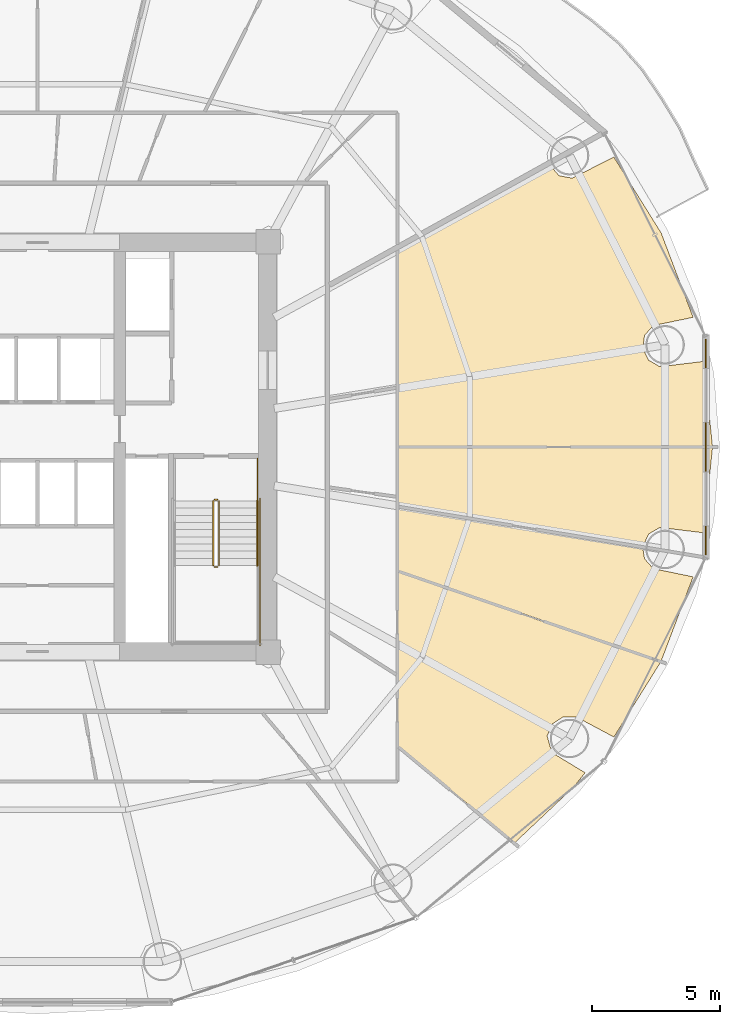
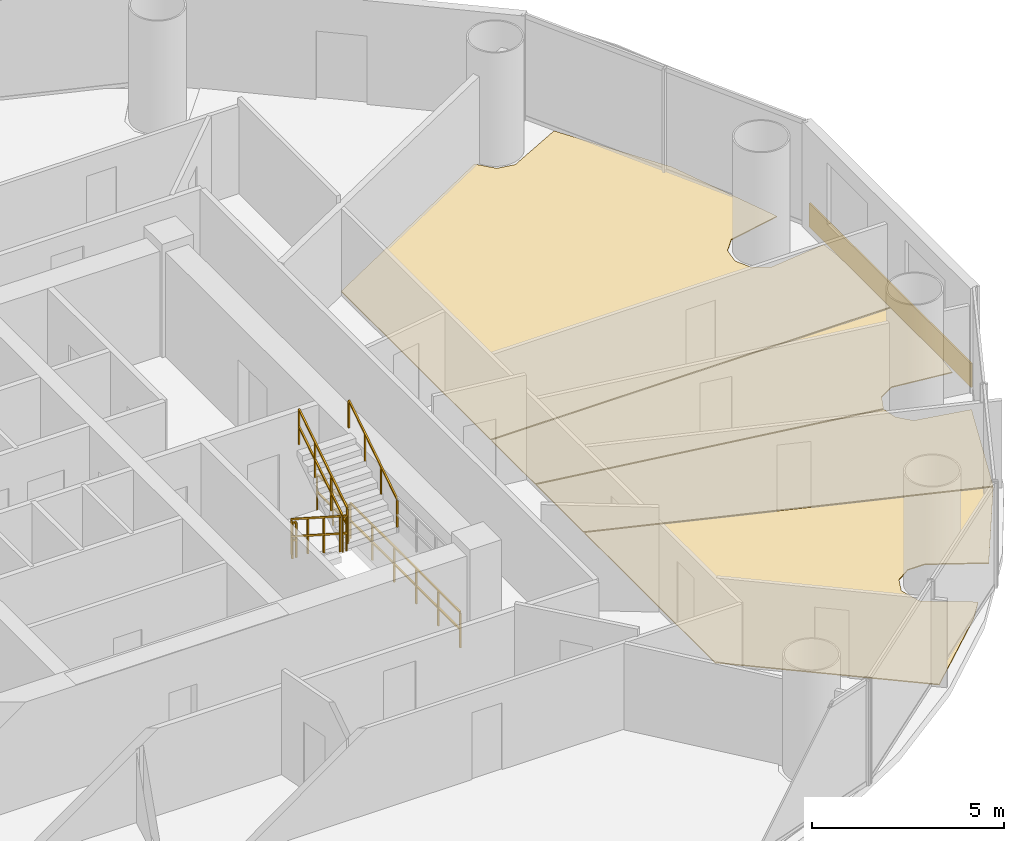
# One storey, part 28 of 29: 7 railings, 5 coverings.
"""IFC4 building model written with IfcOpenShell, lengths in metres."""

from ifc_helpers import new_model, si_unit, direction, frame, origin, origin_2d, place, context, subcontext, project, spatial, polyline, rectangle, outline, extrude, source, transform, mapped, material, layer, layer_set, type_object, element, save


model = new_model("IFC4")

# Units and contexts
model_context = context("Model", 3, precision=1e-05, world=origin(), true_north=direction((-0.2419218956, 0.970295726276)))
body_context = subcontext(model_context, "Body", "Model", "MODEL_VIEW")
ifc_project = project(units=[si_unit("LENGTHUNIT", "METRE"), si_unit("AREAUNIT", "SQUARE_METRE"), si_unit("VOLUMEUNIT", "CUBIC_METRE"), si_unit("PLANEANGLEUNIT", "RADIAN"), si_unit("MASSUNIT", "GRAM", prefix="KILO")], contexts=[model_context])

# Site, building, storey
site_placement = place(None, origin())
site = spatial("IfcSite", under=ifc_project, at=site_placement, CompositionType="ELEMENT")
building_placement = place(site_placement, origin())
building = spatial("IfcBuilding", under=site, at=building_placement, Name="Cobrevalo Terracotta Tower", CompositionType="ELEMENT")
storey_placement = place(building_placement, frame((0.0, 0.0, 97.800048828125)))
storey = spatial("IfcBuildingStorey", under=building, at=storey_placement, Name="L25", CompositionType="ELEMENT", Elevation=97.800048828125)

# Coverings
ifc_material_1 = material(Name="Engineered Brazilian hardwood flooring", Category="wood")
ifc_layer_1 = layer(ifc_material_1, 0.028076171875)
ifc_layer_set_1 = layer_set([ifc_layer_1], Name="Engineered Brazilian hardwood flooring")
covering_type_1 = type_object("IfcCoveringType", Name="Engineered Hardwood Suite Flooring 28", PredefinedType="FLOORING", material=ifc_layer_set_1)
covering_1_placement = place(storey_placement, origin())
element("IfcCovering", 1, at=covering_1_placement, inside=storey, type_object=covering_type_1, Name="Flat L25C Penthouse Family Lounge floor finish", PredefinedType="FLOORING", context=body_context, shape_type="SweptSolid", body=[
    extrude(outline(polyline([(60.474853515625, 15.49462890625), (59.00927734375, 16.278076171875), (58.498291015625, 16.283447265625), (58.070556640625, 16.00390625), (57.8701171875, 15.53369140625), (58.05908203125, 14.88720703125), (59.35302734375, 14.102294921875), (58.88232421875, 13.518310546875), (56.6044921875, 11.368896484375), (52.054931640625, 15.148681640625), (52.054931640625, 21.94189453125), (62.296875, 18.417236328125), (60.474853515625, 15.49462890625)])), origin(), (0.0, 0.0, 1.0), 0.030029296875),
])
covering_2_placement = place(storey_placement, origin())
element("IfcCovering", 2, at=covering_2_placement, inside=storey, type_object=covering_type_1, Name="Flat L25C Principal Guest Bedroom floor finish", PredefinedType="FLOORING", context=body_context, shape_type="SweptSolid", body=[
    extrude(outline(polyline([(52.054931640625, 21.984375), (52.054931640625, 24.45703125), (61.597412109375, 22.8798828125), (61.669677734375, 22.445556640625), (62.00732421875, 22.06201171875), (63.564208984375, 21.740478515625), (62.3154296875, 18.453369140625), (52.054931640625, 21.984375)])), origin(), (0.0, 0.0, 1.0), 0.030029296875),
])
covering_3_placement = place(storey_placement, origin())
element("IfcCovering", 3, at=covering_3_placement, inside=storey, type_object=covering_type_1, Name="Flat L25C Principal Guest Bedroom floor finish", PredefinedType="FLOORING", context=body_context, shape_type="SweptSolid", body=[
    extrude(outline(polyline([(64.318359375, 26.780029296875), (63.975830078125, 23.45654296875), (62.26904296875, 23.6669921875), (61.8271484375, 23.41064453125), (61.60302734375, 22.919677734375), (52.054931640625, 24.49755859375), (52.054931640625, 26.780029296875), (64.318359375, 26.780029296875)])), origin(), (0.0, 0.0, 1.0), 0.030029296875),
])
covering_4_placement = place(storey_placement, origin())
element("IfcCovering", 4, at=covering_4_placement, inside=storey, type_object=covering_type_1, Name="Flat L25C Penthouse Family Lounge floor finish", PredefinedType="FLOORING", context=body_context, shape_type="SweptSolid", body=[
    extrude(outline(polyline([(57.9296875, 37.8408203125), (58.338134765625, 37.381103515625), (58.84033203125, 37.286376953125), (60.474853515625, 38.10546875), (62.317138671875, 35.14892578125), (63.564208984375, 31.859619140625), (62.00732421875, 31.537841796875), (61.669677734375, 31.154541015625), (61.60205078125, 30.64794921875), (61.8271484375, 30.189208984375), (62.26904296875, 29.932861328125), (63.975830078125, 30.143310546875), (64.318359375, 26.820068359375), (52.054931640625, 26.820068359375), (52.054931640625, 34.57958984375), (57.9296875, 37.8408203125)])), origin(), (0.0, 0.0, 1.0), 0.030029296875),
])

# Railings
ifc_material_2 = material(Name="Brushed stainless steel", Category="steel")
railing_type_1 = type_object("IfcRailingType", Name="Stainless Steel Stair Handrail 900", PredefinedType="HANDRAIL", material=ifc_material_2)
railing_1_placement = place(storey_placement, frame((46.574951171875, 22.179931640625, 1.97998046875)))
element("IfcRailing", 5, at=railing_1_placement, inside=storey, type_object=railing_type_1, Name="L25 ST-2 stair handrail 2", PredefinedType="HANDRAIL", context=body_context, shape_type="SweptSolid", body=[
    extrude(rectangle(XDim=0.048095703125, YDim=0.048095703125, at=origin_2d()), frame((0.0, 0.0, 0.8759765625), z_axis=(0.0, 0.841199657755, 0.540724639528), x_axis=(-1.0, 0.0, 0.0)), (0.0, 0.0, 1.0), 2.995849609375),
    extrude(rectangle(XDim=0.0419921875, YDim=0.0419921875, at=origin_2d()), origin(), (0.0, 0.0, 1.0), 0.851806640625),
    extrude(rectangle(XDim=0.0419921875, YDim=0.0419921875, at=origin_2d()), frame((0.0, 0.840087890625, 0.5400390625)), (0.0, 0.0, 1.0), 0.851806640625),
    extrude(rectangle(XDim=0.0419921875, YDim=0.0419921875, at=origin_2d()), frame((0.0, 1.679931640625, 1.079833984375)), (0.0, 0.0, 1.0), 0.851806640625),
    extrude(rectangle(XDim=0.0419921875, YDim=0.0419921875, at=origin_2d()), frame((0.0, 2.52001953125, 1.619873046875)), (0.0, 0.0, 1.0), 0.851806640625),
])
ifc_material_3 = material(Name="Painted galvanized steel", Category="steel")
railing_type_2 = type_object("IfcRailingType", Name="Stair Well Guard Balustrade 1150", PredefinedType="GUARDRAIL", material=ifc_material_3)
railing_2_placement = place(storey_placement, frame((44.85498046875, 24.699951171875, 0.179931640625)))
element("IfcRailing", 6, at=railing_2_placement, inside=storey, type_object=railing_type_2, Name="L25 ST-2 stair guard 1", PredefinedType="GUARDRAIL", context=body_context, shape_type="SweptSolid", body=[
    extrude(rectangle(XDim=0.048095703125, YDim=0.048095703125, at=origin_2d()), frame((0.0, 0.0, 1.1259765625), z_axis=(0.0, -0.841162588446, 0.540782303519), x_axis=(1.0, 0.0, 0.0)), (0.0, 0.0, 1.0), 2.995849609375),
    extrude(rectangle(XDim=0.048095703125, YDim=0.048095703125, at=origin_2d()), frame((0.0, 0.0, 0.574951171875), z_axis=(0.0, -0.841162588446, 0.540782303519), x_axis=(1.0, 0.0, 0.0)), (0.0, 0.0, 1.0), 2.995849609375),
    extrude(rectangle(XDim=0.0419921875, YDim=0.0419921875, at=origin_2d()), origin(), (0.0, 0.0, 1.0), 1.101806640625),
    extrude(rectangle(XDim=0.0419921875, YDim=0.0419921875, at=origin_2d()), frame((0.0, -0.840087890625, 0.5400390625)), (0.0, 0.0, 1.0), 1.101806640625),
    extrude(rectangle(XDim=0.0419921875, YDim=0.0419921875, at=origin_2d()), frame((0.0, -1.679931640625, 1.080078125)), (0.0, 0.0, 1.0), 1.101806640625),
    extrude(rectangle(XDim=0.0419921875, YDim=0.0419921875, at=origin_2d()), frame((0.0, -2.52001953125, 1.6201171875)), (0.0, 0.0, 1.0), 1.101806640625),
])
railing_3_placement = place(storey_placement, frame((44.905029296875, 22.1298828125, 1.800048828125)))
element("IfcRailing", 7, at=railing_3_placement, inside=storey, type_object=railing_type_2, Name="L25 ST-2 stair guard 2", PredefinedType="GUARDRAIL", context=body_context, shape_type="SweptSolid", body=[
    extrude(rectangle(XDim=0.048095703125, YDim=0.048095703125, at=origin_2d()), frame((0.0, 0.0, 1.1259765625), z_axis=(1.0, 0.0, 0.0), x_axis=(0.0, 1.0, 0.0)), (0.0, 0.0, 1.0), 0.119873046875),
    extrude(rectangle(XDim=0.048095703125, YDim=0.048095703125, at=origin_2d()), frame((0.0, 0.0, 0.574951171875), z_axis=(1.0, 0.0, 0.0), x_axis=(0.0, 1.0, 0.0)), (0.0, 0.0, 1.0), 0.119873046875),
    extrude(rectangle(XDim=0.0419921875, YDim=0.0419921875, at=origin_2d()), origin(), (0.0, 0.0, 1.0), 1.101806640625),
    extrude(rectangle(XDim=0.0419921875, YDim=0.0419921875, at=origin_2d()), frame((0.119873046875, 0.0, 0.0)), (0.0, 0.0, 1.0), 1.101806640625),
])
railing_4_placement = place(storey_placement, frame((45.074951171875, 22.179931640625, 1.97998046875)))
element("IfcRailing", 8, at=railing_4_placement, inside=storey, type_object=railing_type_2, Name="L25 ST-2 stair guard 6", PredefinedType="GUARDRAIL", context=body_context, shape_type="SweptSolid", body=[
    extrude(rectangle(XDim=0.048095703125, YDim=0.048095703125, at=origin_2d()), frame((0.0, 0.0, 1.1259765625), z_axis=(0.0, 0.841199657755, 0.540724639528), x_axis=(-1.0, 0.0, 0.0)), (0.0, 0.0, 1.0), 2.995849609375),
    extrude(rectangle(XDim=0.048095703125, YDim=0.048095703125, at=origin_2d()), frame((0.0, 0.0, 0.574951171875), z_axis=(0.0, 0.841199657755, 0.540724639528), x_axis=(-1.0, 0.0, 0.0)), (0.0, 0.0, 1.0), 2.995849609375),
    extrude(rectangle(XDim=0.0419921875, YDim=0.0419921875, at=origin_2d()), origin(), (0.0, 0.0, 1.0), 1.101806640625),
    extrude(rectangle(XDim=0.0419921875, YDim=0.0419921875, at=origin_2d()), frame((0.0, 0.840087890625, 0.5400390625)), (0.0, 0.0, 1.0), 1.101806640625),
    extrude(rectangle(XDim=0.0419921875, YDim=0.0419921875, at=origin_2d()), frame((0.0, 1.679931640625, 1.079833984375)), (0.0, 0.0, 1.0), 1.101806640625),
    extrude(rectangle(XDim=0.0419921875, YDim=0.0419921875, at=origin_2d()), frame((0.0, 2.52001953125, 1.619873046875)), (0.0, 0.0, 1.0), 1.101806640625),
])
railing_5_placement = place(storey_placement, frame((44.905029296875, 24.75, 0.0)))
element("IfcRailing", 9, at=railing_5_placement, inside=storey, type_object=railing_type_2, Name="L25 ST-2 stair guard 7", PredefinedType="GUARDRAIL", context=body_context, shape_type="SweptSolid", body=[
    extrude(rectangle(XDim=0.048095703125, YDim=0.048095703125, at=origin_2d()), frame((0.0, 0.0, 1.1259765625), z_axis=(1.0, 0.0, 0.0), x_axis=(0.0, 1.0, 0.0)), (0.0, 0.0, 1.0), 0.119873046875),
    extrude(rectangle(XDim=0.048095703125, YDim=0.048095703125, at=origin_2d()), frame((0.0, 0.0, 0.574951171875), z_axis=(1.0, 0.0, 0.0), x_axis=(0.0, 1.0, 0.0)), (0.0, 0.0, 1.0), 0.119873046875),
    extrude(rectangle(XDim=0.0419921875, YDim=0.0419921875, at=origin_2d()), origin(), (0.0, 0.0, 1.0), 1.101806640625),
    extrude(rectangle(XDim=0.0419921875, YDim=0.0419921875, at=origin_2d()), frame((0.119873046875, 0.0, 0.0)), (0.0, 0.0, 1.0), 1.101806640625),
])
railing_6_placement = place(storey_placement, frame((46.574951171875, 26.35009765625, 0.0)))
element("IfcRailing", 10, at=railing_6_placement, inside=storey, type_object=railing_type_2, Name="L25 ST-2 stair guard 9", PredefinedType="GUARDRAIL", context=body_context, shape_type="SweptSolid", body=[
    extrude(rectangle(XDim=0.048095703125, YDim=0.048095703125, at=origin_2d()), frame((0.0, 0.0, 1.1259765625), z_axis=(0.0, -1.0, 0.0), x_axis=(1.0, 0.0, 0.0)), (0.0, 0.0, 1.0), 1.650146484375),
    extrude(rectangle(XDim=0.048095703125, YDim=0.048095703125, at=origin_2d()), frame((0.0, 0.0, 0.574951171875), z_axis=(0.0, -1.0, 0.0), x_axis=(1.0, 0.0, 0.0)), (0.0, 0.0, 1.0), 1.650146484375),
    extrude(rectangle(XDim=0.0419921875, YDim=0.0419921875, at=origin_2d()), origin(), (0.0, 0.0, 1.0), 1.101806640625),
    extrude(rectangle(XDim=0.0419921875, YDim=0.0419921875, at=origin_2d()), frame((0.0, -0.8251953125, 0.0)), (0.0, 0.0, 1.0), 1.101806640625),
    extrude(rectangle(XDim=0.0419921875, YDim=0.0419921875, at=origin_2d()), frame((0.0, -1.650146484375, 0.0)), (0.0, 0.0, 1.0), 1.101806640625),
])
railing_7_placement = place(storey_placement, frame((46.675048828125, 24.800048828125, 0.0)))
element("IfcRailing", 11, at=railing_7_placement, inside=storey, type_object=railing_type_2, Name="L25 ST-2 stair guard 11", PredefinedType="GUARDRAIL", context=body_context, shape_type="SweptSolid", body=[
    extrude(rectangle(XDim=0.048095703125, YDim=0.048095703125, at=origin_2d()), frame((0.0, 0.0, 1.1259765625), z_axis=(0.0, -1.0, 0.0), x_axis=(1.0, 0.0, 0.0)), (0.0, 0.0, 1.0), 5.72509765625),
    extrude(rectangle(XDim=0.048095703125, YDim=0.048095703125, at=origin_2d()), frame((0.0, 0.0, 0.574951171875), z_axis=(0.0, -1.0, 0.0), x_axis=(1.0, 0.0, 0.0)), (0.0, 0.0, 1.0), 5.72509765625),
    extrude(rectangle(XDim=0.0419921875, YDim=0.0419921875, at=origin_2d()), origin(), (0.0, 0.0, 1.0), 1.101806640625),
    extrude(rectangle(XDim=0.0419921875, YDim=0.0419921875, at=origin_2d()), frame((0.0, -1.14501953125, 0.0)), (0.0, 0.0, 1.0), 1.101806640625),
    extrude(rectangle(XDim=0.0419921875, YDim=0.0419921875, at=origin_2d()), frame((0.0, -2.2900390625, 0.0)), (0.0, 0.0, 1.0), 1.101806640625),
    extrude(rectangle(XDim=0.0419921875, YDim=0.0419921875, at=origin_2d()), frame((0.0, -3.43505859375, 0.0)), (0.0, 0.0, 1.0), 1.101806640625),
    extrude(rectangle(XDim=0.0419921875, YDim=0.0419921875, at=origin_2d()), frame((0.0, -4.580078125, 0.0)), (0.0, 0.0, 1.0), 1.101806640625),
    extrude(rectangle(XDim=0.0419921875, YDim=0.0419921875, at=origin_2d()), frame((0.0, -5.72509765625, 0.0)), (0.0, 0.0, 1.0), 1.101806640625),
])

# Covering
ifc_material_4 = material(Name="Glazed terracotta facade cladding tile", Category="masonry")
ifc_layer_2 = layer(ifc_material_4, 0.044921875)
ifc_layer_set_2 = layer_set([ifc_layer_2], Name="Glazed terracotta facade cladding tile")
covering_type_2 = type_object("IfcCoveringType", Name="Architectural terracotta rainscreen spandrel cladding 45 mm", PredefinedType="CLADDING", material=ifc_layer_set_2)
shared_shape = source(origin(), body_context, "Body", "SweptSolid", [
    extrude(rectangle(XDim=8.411376953125, YDim=0.044921875, at=origin_2d()), origin(), (0.0, 0.0, 1.0), 0.760009765625),
])
covering_5_placement = place(storey_placement, frame((64.0595703125, 26.800048828125, 0.0400390625), z_axis=(0.0, 0.0, 1.0), x_axis=(0.0, 1.0, 0.0)))
element("IfcCovering", 12, at=covering_5_placement, inside=storey, type_object=covering_type_2, Name="L25 terracotta spandrel cladding S16", PredefinedType="CLADDING", context=body_context, shape_type="MappedRepresentation", body=[
    mapped(shared_shape, transform((0.0, 0.0, 0.0), scale=1.0)),
])

save(model, "model.ifc")
